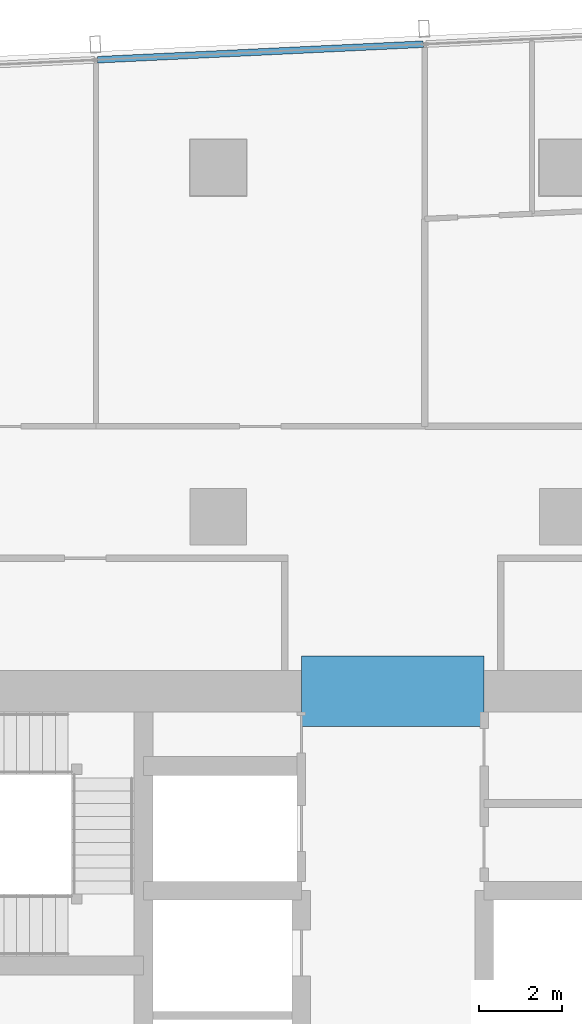
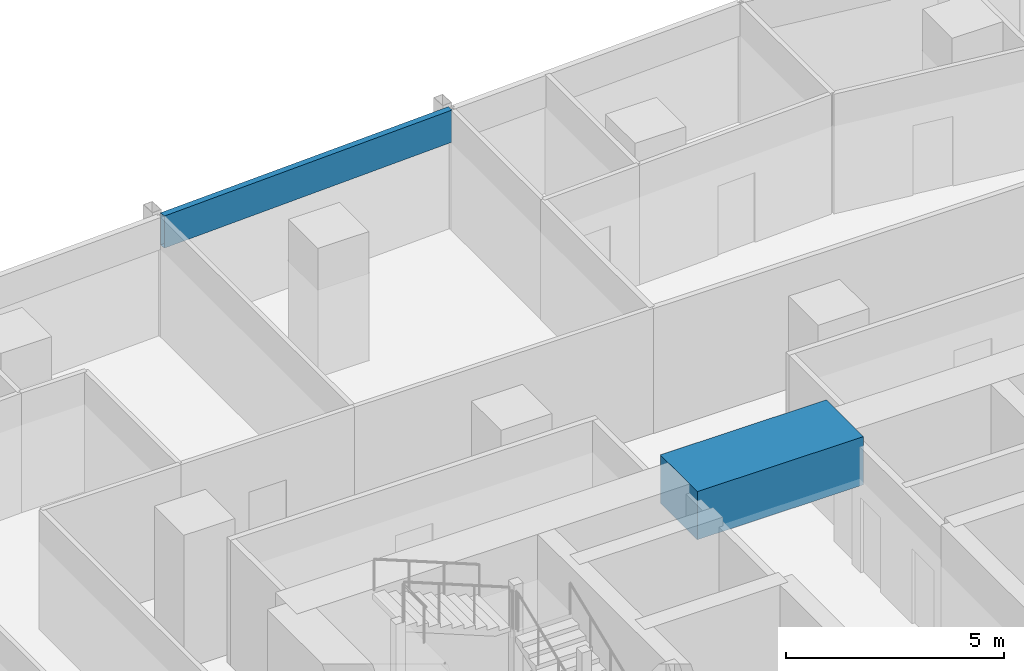
# One storey, part 20 of 38: 1 beam, 1 member, 1 element without a shape of its own.
"""IFC4 building model written with IfcOpenShell, lengths in metres."""

from ifc_helpers import new_model, si_unit, direction, frame, origin, origin_2d, place, context, subcontext, project, spatial, rectangle, hollow_rectangle, extrude, material, material_profile, profile_set, type_object, element, aggregate, save


model = new_model("IFC4")

# Units and contexts
model_context = context("Model", 3, precision=1e-05, world=origin(), true_north=direction((0.0, 1.0)))
body_context = subcontext(model_context, "Body", "Model", "MODEL_VIEW")
ifc_project = project(units=[si_unit("LENGTHUNIT", "METRE"), si_unit("AREAUNIT", "SQUARE_METRE"), si_unit("VOLUMEUNIT", "CUBIC_METRE"), si_unit("PLANEANGLEUNIT", "RADIAN"), si_unit("MASSUNIT", "GRAM", prefix="KILO")], contexts=[model_context])

# Site, building, storey
site_placement = place(None, origin())
site = spatial("IfcSite", under=ifc_project, at=site_placement, CompositionType="ELEMENT")
building_placement = place(site_placement, origin())
building = spatial("IfcBuilding", under=site, at=building_placement, Name="Rekha Terrace Tower", CompositionType="ELEMENT")
storey_placement = place(building_placement, frame((0.0, 0.0, 202.699951171875)))
storey = spatial("IfcBuildingStorey", under=building, at=storey_placement, Name="L51", CompositionType="ELEMENT", Elevation=202.699951171875)

# Curtain wall, member
ifc_material_1 = material(Name="Aluminium framing", Category="aluminium")
curtain_wall_type = type_object("IfcCurtainWallType", Name="CW3 north unitised glazing", PredefinedType="USERDEFINED", material=ifc_material_1)
curtain_wall_placement = place(storey_placement, origin())
curtain_wall = element("IfcCurtainWall", 1, at=curtain_wall_placement, inside=storey, type_object=curtain_wall_type, Name="CW3 unitised curtain wall", ObjectType="UNITISED CURTAIN WALL", PredefinedType="USERDEFINED")
ifc_material_2 = material(Name="Insulated aluminium spandrel box", Category="aluminium")
ifc_material_profile_1 = material_profile(ifc_material_2, hollow_rectangle(XDim=0.159912109375, YDim=0.89990234375, WallThickness=0.0029296875, at=origin_2d()), Name="AL SPANDREL BOX 160x900")
ifc_profile_set_1 = profile_set([ifc_material_profile_1], Name="Insulated aluminium spandrel box")
member_type = type_object("IfcMemberType", Name="CW3 spandrel transom 160 x 900", PredefinedType="USERDEFINED", material=ifc_profile_set_1)
member_placement = place(storey_placement, frame((38.53515625, 61.76953125, 3.050048828125), z_axis=(-0.998859252362, -0.047751376635, 0.0), x_axis=(0.047751376635, -0.998859252362, 0.0)))
member = element("IfcMember", 2, at=member_placement, type_object=member_type, Name="CW3 spandrel transom 2", ObjectType="TRANSOM", PredefinedType="USERDEFINED", context=body_context, shape_type="SweptSolid", body=[
    extrude(hollow_rectangle(XDim=0.159912109375, YDim=0.89990234375, WallThickness=0.0029296875, at=origin_2d()), origin(), (0.0, 0.0, 1.0), 7.84814453125),
])
aggregate(curtain_wall, [member])

# Beam
ifc_material_3 = material(Name="Concrete M60", Category="concrete")
ifc_material_profile_2 = material_profile(ifc_material_3, rectangle(XDim=1.699951171875, YDim=1.35009765625, at=origin_2d()), Name="RC 1700x1350")
ifc_profile_set_2 = profile_set([ifc_material_profile_2], Name="Concrete M60")
beam_type = type_object("IfcBeamType", Name="LB3A 1700x1350 diagonally reinforced coupling beam", PredefinedType="LINTEL", material=ifc_profile_set_2)
beam_placement = place(storey_placement, frame((35.60009765625, 46.199951171875, 3.074951171875), z_axis=(1.0, 0.0, 0.0), x_axis=(0.0, 1.0, 0.0)))
element("IfcBeam", 3, at=beam_placement, inside=storey, type_object=beam_type, Name="Coupling beam LB3A N L51", PredefinedType="LINTEL", context=body_context, shape_type="SweptSolid", body=[
    extrude(rectangle(XDim=1.699951171875, YDim=1.35009765625, at=origin_2d()), origin(), (0.0, 0.0, 1.0), 4.39990234375),
])

save(model, "model.ifc")
